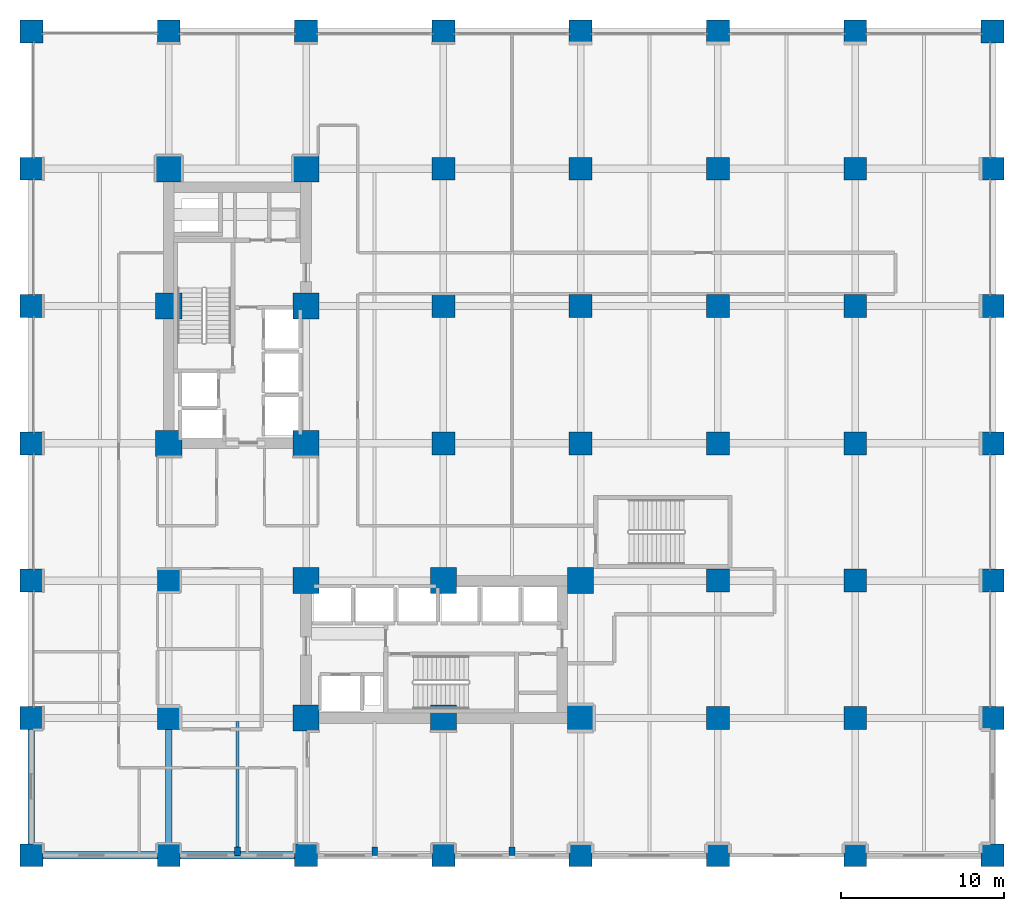
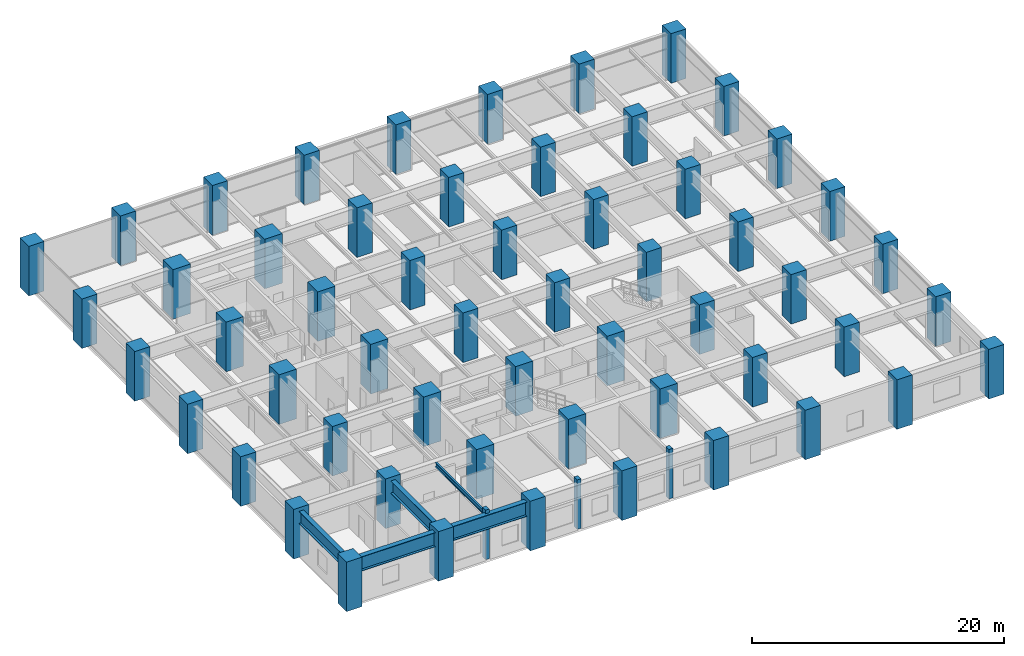
# One storey, part 1 of 24: 59 columns, 5 beams.
"""IFC4 building model written with IfcOpenShell, lengths in metres."""

from ifc_helpers import new_model, si_unit, direction, frame, origin, origin_2d, place, context, subcontext, project, spatial, rectangle, i_section, extrude, material, material_profile, profile_set, type_object, element, save


model = new_model("IFC4")

# Units and contexts
model_context = context("Model", 3, precision=1e-05, world=origin(), true_north=direction((0.0, 1.0)))
body_context = subcontext(model_context, "Body", "Model", "MODEL_VIEW")
ifc_project = project(units=[si_unit("LENGTHUNIT", "METRE"), si_unit("AREAUNIT", "SQUARE_METRE"), si_unit("VOLUMEUNIT", "CUBIC_METRE"), si_unit("PLANEANGLEUNIT", "RADIAN"), si_unit("MASSUNIT", "GRAM", prefix="KILO")], contexts=[model_context])

# Site, building, storey
site_placement = place(None, origin())
site = spatial("IfcSite", under=ifc_project, at=site_placement, CompositionType="ELEMENT")
building_placement = place(site_placement, origin())
building = spatial("IfcBuilding", under=site, at=building_placement, Name="Nerrivon Quay Data Exchange", CompositionType="ELEMENT")
storey_placement = place(building_placement, frame((0.0, 0.0, 15.0)))
storey = spatial("IfcBuildingStorey", under=building, at=storey_placement, Name="L03", CompositionType="ELEMENT", Elevation=15.0)

# Columns
ifc_material_1 = material(Name="Concrete N80 (80 MPa)", Category="concrete")
ifc_material_profile_1 = material_profile(ifc_material_1, rectangle(XDim=1.60009765625, YDim=1.60009765625, at=origin_2d()), Name="RC-COL-1600x1600")
ifc_profile_set_1 = profile_set([ifc_material_profile_1], Name="Concrete N80 (80 MPa)")
column_type_1 = type_object("IfcColumnType", Name="COL-C1-1600", PredefinedType="COLUMN", material=ifc_profile_set_1)
for number, where, z_axis, x_axis, name in (
    (1, (8.39990234375, 25.199951171875, 0.0), (0.0, 0.0, 1.0), (1.0, 0.0, 0.0), "L03 Column (8.4,25.2)"),
    (2, (8.39990234375, 33.60009765625, 0.0), (0.0, 0.0, 1.0), (1.0, 0.0, 0.0), "L03 Column (8.4,33.6)"),
    (3, (8.39990234375, 42.0, 0.0), (0.0, 0.0, 1.0), (1.0, 0.0, 0.0), "L03 Column (8.4,42.0)"),
    (4, (16.800048828125, 8.39990234375, 0.0), (0.0, 0.0, 1.0), (1.0, 0.0, 0.0), "L03 Column (16.8,8.4)"),
    (5, (16.800048828125, 16.800048828125, 0.0), (0.0, 0.0, 1.0), (1.0, 0.0, 0.0), "L03 Column (16.8,16.8)"),
    (6, (16.800048828125, 25.199951171875, 0.0), (0.0, 0.0, 1.0), (1.0, 0.0, 0.0), "L03 Column (16.8,25.2)"),
    (7, (16.800048828125, 33.60009765625, 0.0), (0.0, 0.0, 1.0), (1.0, 0.0, 0.0), "L03 Column (16.8,33.6)"),
    (8, (16.800048828125, 42.0, 0.0), (0.0, 0.0, 1.0), (1.0, 0.0, 0.0), "L03 Column (16.8,42.0)"),
    (9, (25.199951171875, 8.39990234375, 0.0), (0.0, 0.0, 1.0), (1.0, 0.0, 0.0), "L03 Column (25.2,8.4)"),
    (10, (25.199951171875, 16.800048828125, 0.0), (0.0, 0.0, 1.0), (1.0, 0.0, 0.0), "L03 Column (25.2,16.8)"),
    (11, (33.60009765625, 8.39990234375, 0.0), (0.0, 0.0, 1.0), (1.0, 0.0, 0.0), "L03 Column (33.6,8.4)"),
    (12, (33.60009765625, 16.800048828125, 0.0), (0.0, 0.0, 1.0), (1.0, 0.0, 0.0), "L03 Column (33.6,16.8)"),
):
    element("IfcColumn", number, at=place(storey_placement, frame(where, z_axis=z_axis, x_axis=x_axis)), inside=storey, type_object=column_type_1, Name=name, PredefinedType="COLUMN", context=body_context, shape_type="SweptSolid", body=[
        extrude(rectangle(XDim=1.60009765625, YDim=1.60009765625, at=origin_2d()), origin(), (0.0, 0.0, 1.0), 4.800048828125),
    ])
ifc_material_profile_2 = material_profile(ifc_material_1, rectangle(XDim=1.39990234375, YDim=1.39990234375, at=origin_2d()), Name="RC-COL-1400x1400")
ifc_profile_set_2 = profile_set([ifc_material_profile_2], Name="Concrete N80 (80 MPa)")
column_type_2 = type_object("IfcColumnType", Name="COL-C2-1400", PredefinedType="COLUMN", material=ifc_profile_set_2)
for number, where, z_axis, x_axis, name in (
    (13, (0.0, 0.0, 0.0), (0.0, 0.0, 1.0), (1.0, 0.0, 0.0), "L03 Column (0.0,0.0)"),
    (14, (0.0, 8.39990234375, 0.0), (0.0, 0.0, 1.0), (1.0, 0.0, 0.0), "L03 Column (0.0,8.4)"),
    (15, (0.0, 16.800048828125, 0.0), (0.0, 0.0, 1.0), (1.0, 0.0, 0.0), "L03 Column (0.0,16.8)"),
    (16, (0.0, 25.199951171875, 0.0), (0.0, 0.0, 1.0), (1.0, 0.0, 0.0), "L03 Column (0.0,25.2)"),
    (17, (0.0, 33.60009765625, 0.0), (0.0, 0.0, 1.0), (1.0, 0.0, 0.0), "L03 Column (0.0,33.6)"),
    (18, (0.0, 42.0, 0.0), (0.0, 0.0, 1.0), (1.0, 0.0, 0.0), "L03 Column (0.0,42.0)"),
    (19, (0.0, 50.39990234375, 0.0), (0.0, 0.0, 1.0), (1.0, 0.0, 0.0), "L03 Column (0.0,50.4)"),
    (20, (8.39990234375, 0.0, 0.0), (0.0, 0.0, 1.0), (1.0, 0.0, 0.0), "L03 Column (8.4,0.0)"),
    (21, (8.39990234375, 8.39990234375, 0.0), (0.0, 0.0, 1.0), (1.0, 0.0, 0.0), "L03 Column (8.4,8.4)"),
    (22, (8.39990234375, 16.800048828125, 0.0), (0.0, 0.0, 1.0), (1.0, 0.0, 0.0), "L03 Column (8.4,16.8)"),
    (23, (8.39990234375, 50.39990234375, 0.0), (0.0, 0.0, 1.0), (1.0, 0.0, 0.0), "L03 Column (8.4,50.4)"),
    (24, (16.800048828125, 0.0, 0.0), (0.0, 0.0, 1.0), (1.0, 0.0, 0.0), "L03 Column (16.8,0.0)"),
    (25, (16.800048828125, 50.39990234375, 0.0), (0.0, 0.0, 1.0), (1.0, 0.0, 0.0), "L03 Column (16.8,50.4)"),
    (26, (25.199951171875, 0.0, 0.0), (0.0, 0.0, 1.0), (1.0, 0.0, 0.0), "L03 Column (25.2,0.0)"),
    (27, (25.199951171875, 25.199951171875, 0.0), (0.0, 0.0, 1.0), (1.0, 0.0, 0.0), "L03 Column (25.2,25.2)"),
    (28, (25.199951171875, 33.60009765625, 0.0), (0.0, 0.0, 1.0), (1.0, 0.0, 0.0), "L03 Column (25.2,33.6)"),
    (29, (25.199951171875, 42.0, 0.0), (0.0, 0.0, 1.0), (1.0, 0.0, 0.0), "L03 Column (25.2,42.0)"),
    (30, (25.199951171875, 50.39990234375, 0.0), (0.0, 0.0, 1.0), (1.0, 0.0, 0.0), "L03 Column (25.2,50.4)"),
    (31, (33.60009765625, 0.0, 0.0), (0.0, 0.0, 1.0), (1.0, 0.0, 0.0), "L03 Column (33.6,0.0)"),
    (32, (33.60009765625, 25.199951171875, 0.0), (0.0, 0.0, 1.0), (1.0, 0.0, 0.0), "L03 Column (33.6,25.2)"),
    (33, (33.60009765625, 33.60009765625, 0.0), (0.0, 0.0, 1.0), (1.0, 0.0, 0.0), "L03 Column (33.6,33.6)"),
    (34, (33.60009765625, 42.0, 0.0), (0.0, 0.0, 1.0), (1.0, 0.0, 0.0), "L03 Column (33.6,42.0)"),
    (35, (33.60009765625, 50.39990234375, 0.0), (0.0, 0.0, 1.0), (1.0, 0.0, 0.0), "L03 Column (33.6,50.4)"),
    (36, (42.0, 0.0, 0.0), (0.0, 0.0, 1.0), (1.0, 0.0, 0.0), "L03 Column (42.0,0.0)"),
    (37, (42.0, 8.39990234375, 0.0), (0.0, 0.0, 1.0), (1.0, 0.0, 0.0), "L03 Column (42.0,8.4)"),
    (38, (42.0, 16.800048828125, 0.0), (0.0, 0.0, 1.0), (1.0, 0.0, 0.0), "L03 Column (42.0,16.8)"),
    (39, (42.0, 25.199951171875, 0.0), (0.0, 0.0, 1.0), (1.0, 0.0, 0.0), "L03 Column (42.0,25.2)"),
    (40, (42.0, 33.60009765625, 0.0), (0.0, 0.0, 1.0), (1.0, 0.0, 0.0), "L03 Column (42.0,33.6)"),
    (41, (42.0, 42.0, 0.0), (0.0, 0.0, 1.0), (1.0, 0.0, 0.0), "L03 Column (42.0,42.0)"),
    (42, (42.0, 50.39990234375, 0.0), (0.0, 0.0, 1.0), (1.0, 0.0, 0.0), "L03 Column (42.0,50.4)"),
    (43, (50.39990234375, 0.0, 0.0), (0.0, 0.0, 1.0), (1.0, 0.0, 0.0), "L03 Column (50.4,0.0)"),
    (44, (50.39990234375, 8.39990234375, 0.0), (0.0, 0.0, 1.0), (1.0, 0.0, 0.0), "L03 Column (50.4,8.4)"),
    (45, (50.39990234375, 16.800048828125, 0.0), (0.0, 0.0, 1.0), (1.0, 0.0, 0.0), "L03 Column (50.4,16.8)"),
    (46, (50.39990234375, 25.199951171875, 0.0), (0.0, 0.0, 1.0), (1.0, 0.0, 0.0), "L03 Column (50.4,25.2)"),
    (47, (50.39990234375, 33.60009765625, 0.0), (0.0, 0.0, 1.0), (1.0, 0.0, 0.0), "L03 Column (50.4,33.6)"),
    (48, (50.39990234375, 42.0, 0.0), (0.0, 0.0, 1.0), (1.0, 0.0, 0.0), "L03 Column (50.4,42.0)"),
    (49, (50.39990234375, 50.39990234375, 0.0), (0.0, 0.0, 1.0), (1.0, 0.0, 0.0), "L03 Column (50.4,50.4)"),
    (50, (58.800048828125, 0.0, 0.0), (0.0, 0.0, 1.0), (1.0, 0.0, 0.0), "L03 Column (58.8,0.0)"),
    (51, (58.800048828125, 8.39990234375, 0.0), (0.0, 0.0, 1.0), (1.0, 0.0, 0.0), "L03 Column (58.8,8.4)"),
    (52, (58.800048828125, 16.800048828125, 0.0), (0.0, 0.0, 1.0), (1.0, 0.0, 0.0), "L03 Column (58.8,16.8)"),
    (53, (58.800048828125, 25.199951171875, 0.0), (0.0, 0.0, 1.0), (1.0, 0.0, 0.0), "L03 Column (58.8,25.2)"),
    (54, (58.800048828125, 33.60009765625, 0.0), (0.0, 0.0, 1.0), (1.0, 0.0, 0.0), "L03 Column (58.8,33.6)"),
    (55, (58.800048828125, 42.0, 0.0), (0.0, 0.0, 1.0), (1.0, 0.0, 0.0), "L03 Column (58.8,42.0)"),
    (56, (58.800048828125, 50.39990234375, 0.0), (0.0, 0.0, 1.0), (1.0, 0.0, 0.0), "L03 Column (58.8,50.4)"),
):
    element("IfcColumn", number, at=place(storey_placement, frame(where, z_axis=z_axis, x_axis=x_axis)), inside=storey, type_object=column_type_2, Name=name, PredefinedType="COLUMN", context=body_context, shape_type="SweptSolid", body=[
        extrude(rectangle(XDim=1.39990234375, YDim=1.39990234375, at=origin_2d()), origin(), (0.0, 0.0, 1.0), 4.800048828125),
    ])
ifc_material_2 = material(Name="Concrete N50 (50 MPa)", Category="concrete")
ifc_material_profile_3 = material_profile(ifc_material_2, rectangle(XDim=0.35009765625, YDim=0.5, at=origin_2d()), Name="RC-PIL-500x350")
ifc_profile_set_3 = profile_set([ifc_material_profile_3], Name="Concrete N50 (50 MPa)")
column_type_3 = type_object("IfcColumnType", Name="PIL-P2-500x350", PredefinedType="PILASTER", material=ifc_profile_set_3)
for number, where, z_axis, x_axis, name in (
    (57, (12.60009765625, 0.25, 0.0), (0.0, 0.0, 1.0), (1.0, 0.0, 0.0), "L03 Facade Pilaster (12.6)"),
    (58, (21.0, 0.25, 0.0), (0.0, 0.0, 1.0), (1.0, 0.0, 0.0), "L03 Facade Pilaster (21.0)"),
    (59, (29.39990234375, 0.25, 0.0), (0.0, 0.0, 1.0), (1.0, 0.0, 0.0), "L03 Facade Pilaster (29.4)"),
):
    element("IfcColumn", number, at=place(storey_placement, frame(where, z_axis=z_axis, x_axis=x_axis)), inside=storey, type_object=column_type_3, Name=name, PredefinedType="PILASTER", context=body_context, shape_type="SweptSolid", body=[
        extrude(rectangle(XDim=0.35009765625, YDim=0.5, at=origin_2d()), origin(), (0.0, 0.0, 1.0), 4.800048828125),
    ])

# Beams
ifc_material_3 = material(Name="Steel Grade 350", Category="steel")
ifc_material_profile_4 = material_profile(ifc_material_3, i_section(OverallWidth=0.177978515625, OverallDepth=0.406005859375, WebThickness=0.0078125, FlangeThickness=0.0126953125, FilletRadius=0.011474609375, at=origin_2d()), Name="410UB59.7")
ifc_profile_set_4 = profile_set([ifc_material_profile_4], Name="Steel Grade 350")
beam_type_1 = type_object("IfcBeamType", Name="BM-J1-410UB60", PredefinedType="JOIST", material=ifc_profile_set_4)
beam_placement = place(storey_placement, frame((12.60009765625, 0.22509765625, 4.2470703125), z_axis=(0.0, 1.0, 0.0), x_axis=(-1.0, 0.0, 0.0)))
element("IfcBeam", 60, at=beam_placement, inside=storey, type_object=beam_type_1, Name="L03 Secondary Joist X=12.6 (0.0..8.4)", PredefinedType="JOIST", context=body_context, shape_type="SweptSolid", body=[
    extrude(i_section(OverallWidth=0.177978515625, OverallDepth=0.406005859375, WebThickness=0.0078125, FlangeThickness=0.0126953125, FilletRadius=0.011474609375, at=origin_2d()), origin(), (0.0, 0.0, 1.0), 7.949951171875),
])
ifc_material_profile_5 = material_profile(ifc_material_3, i_section(OverallWidth=0.449951171875, OverallDepth=1.39990234375, WebThickness=0.02001953125, FlangeThickness=0.0400390625, at=origin_2d()), Name="1400WG455")
ifc_profile_set_5 = profile_set([ifc_material_profile_5], Name="Steel Grade 350")
beam_type_2 = type_object("IfcBeamType", Name="BM-TG1-1400WG", PredefinedType="USERDEFINED", material=ifc_profile_set_5)
for number, where, z_axis, x_axis, name in (
    (61, (0.5400390625, 0.0, 3.75), (1.0, 0.0, 0.0), (0.0, 1.0, 0.0), "L03 EW Girder Y=0.0 (0.0..8.4)"),
    (62, (8.93994140625, 0.0, 3.75), (1.0, 0.0, 0.0), (0.0, 1.0, 0.0), "L03 EW Girder Y=0.0 (8.4..16.8)"),
):
    element("IfcBeam", number, at=place(storey_placement, frame(where, z_axis=z_axis, x_axis=x_axis)), inside=storey, type_object=beam_type_2, Name=name, ObjectType="TRANSFER", PredefinedType="USERDEFINED", context=body_context, shape_type="SweptSolid", body=[
        extrude(i_section(OverallWidth=0.449951171875, OverallDepth=1.39990234375, WebThickness=0.02001953125, FlangeThickness=0.0400390625, at=origin_2d()), origin(), (0.0, 0.0, 1.0), 7.320068359375),
    ])
ifc_material_profile_6 = material_profile(ifc_material_3, i_section(OverallWidth=0.39990234375, OverallDepth=1.199951171875, WebThickness=0.01611328125, FlangeThickness=0.031982421875, at=origin_2d()), Name="1200WB342")
ifc_profile_set_6 = profile_set([ifc_material_profile_6], Name="Steel Grade 350")
beam_type_3 = type_object("IfcBeamType", Name="BM-TG2-1200WB", PredefinedType="USERDEFINED", material=ifc_profile_set_6)
for number, where, z_axis, x_axis, name in (
    (63, (0.0, 0.5400390625, 3.85009765625), (0.0, 1.0, 0.0), (-1.0, 0.0, 0.0), "L03 NS Girder X=0.0 (0.0..8.4)"),
    (64, (8.39990234375, 0.5400390625, 3.85009765625), (0.0, 1.0, 0.0), (-1.0, 0.0, 0.0), "L03 NS Girder X=8.4 (0.0..8.4)"),
):
    element("IfcBeam", number, at=place(storey_placement, frame(where, z_axis=z_axis, x_axis=x_axis)), inside=storey, type_object=beam_type_3, Name=name, ObjectType="TRANSFER", PredefinedType="USERDEFINED", context=body_context, shape_type="SweptSolid", body=[
        extrude(i_section(OverallWidth=0.39990234375, OverallDepth=1.199951171875, WebThickness=0.01611328125, FlangeThickness=0.031982421875, at=origin_2d()), origin(), (0.0, 0.0, 1.0), 7.320068359375),
    ])

save(model, "model.ifc")
